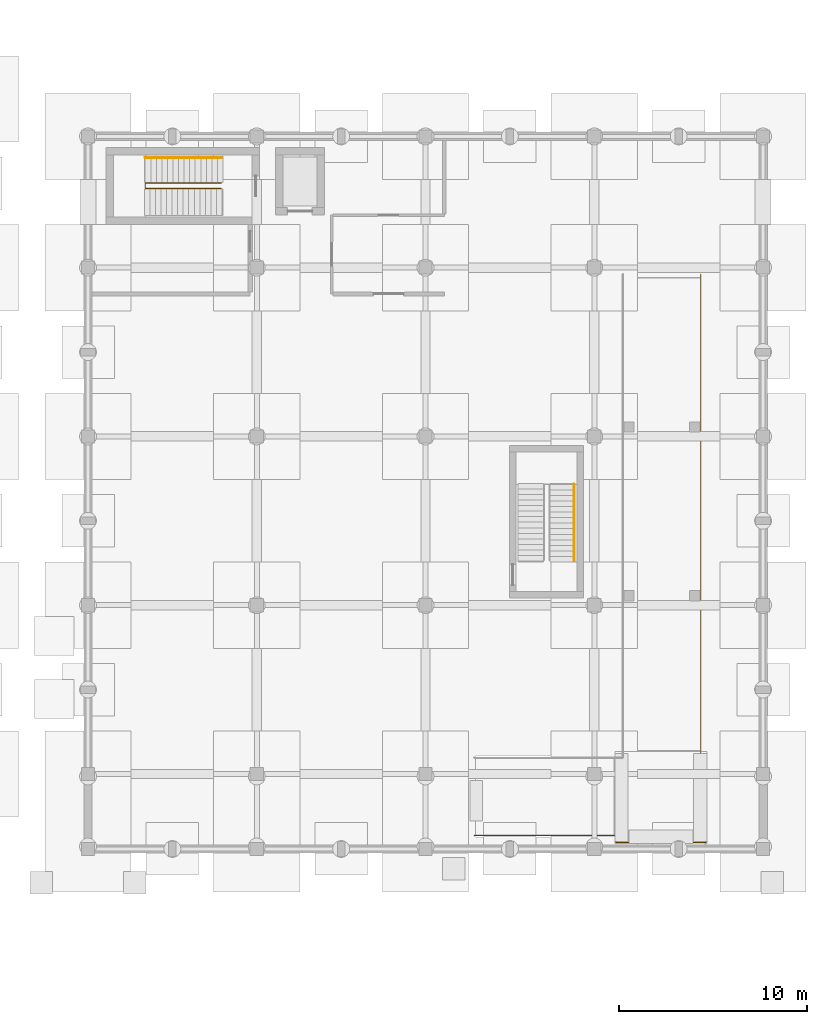
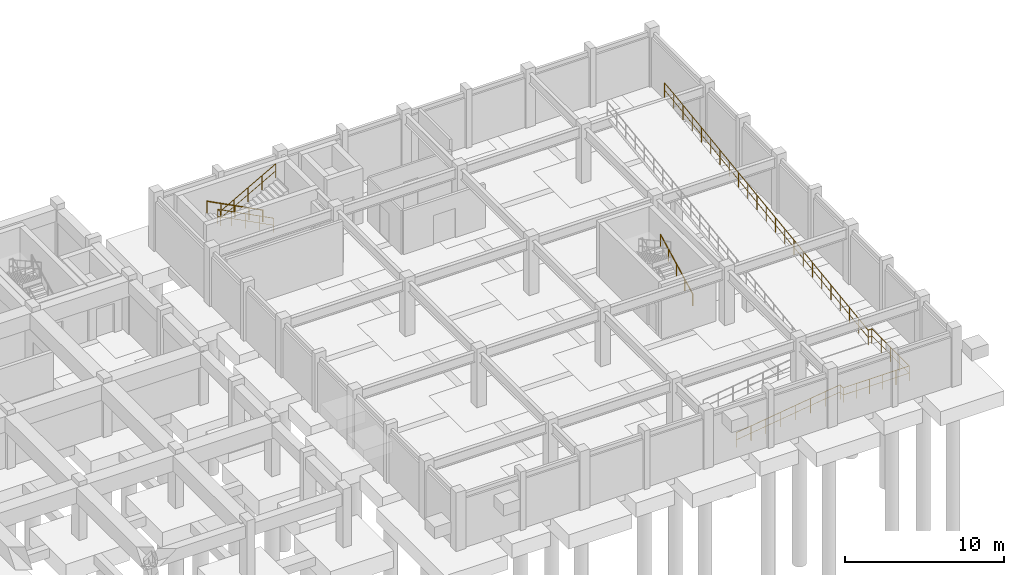
# One storey, part 19 of 20: 4 railings.
"""IFC4 building model written with IfcOpenShell, lengths in metres."""

import ifcopenshell
import ifcopenshell.guid

model = None  # the IFC model being written
_history = None  # IfcOwnerHistory: only IFC2X3 demands one
_inside = {}  # id of a spatial element -> (the spatial element, [elements in it])
_under = {}  # id of a project, library or spatial element -> (it, [spatial elements below it])
_declared = {}  # id of a project -> (the project, [libraries it declares])
_typed = {}  # id of a type object -> (the type object, [elements of that type])
_made_of = {}  # id of a material, layer set ... -> (it, [elements and type objects made of it])


def new_model(schema):
    """Start an empty IFC model of exactly this schema.

    Asked for "IFC4X3", IfcOpenShell would pick the latest addendum, in which some entities
    have other attributes; the version numbers below select the first issue.
    IFC2X3 requires an IfcOwnerHistory on every rooted entity: one is made here for all.
    """
    global model, _history
    if schema == "IFC4X3":
        model = ifcopenshell.file(schema_version=(4, 3, 0, 0))
    else:
        model = ifcopenshell.file(schema=schema)
    _inside.clear()
    _under.clear()
    _declared.clear()
    _typed.clear()
    _made_of.clear()
    _history = None
    if model.schema == "IFC2X3":
        org = make("IfcOrganization", Name="unknown")
        user = make(
            "IfcPersonAndOrganization",
            ThePerson=make("IfcPerson", FamilyName="unknown"),
            TheOrganization=org,
        )
        app = make(
            "IfcApplication",
            ApplicationDeveloper=org,
            Version="unknown",
            ApplicationFullName="unknown",
            ApplicationIdentifier="unknown",
        )
        _history = make(
            "IfcOwnerHistory",
            OwningUser=user,
            OwningApplication=app,
            ChangeAction="ADDED",
            CreationDate=0,
        )
    return model


def make(cls, **values):
    """One entity of the class cls with the attributes given. An attribute that is None is left unset."""
    return model.create_entity(
        cls, **{name: value for name, value in values.items() if value is not None}
    )


def rooted(cls, **values):
    """An entity with a GlobalId (a new one), such as an element, a storey or a relation."""
    return make(cls, GlobalId=ifcopenshell.guid.new(), OwnerHistory=_history, **values)


def si_unit(unit_type, name, prefix=None):
    """IfcSIUnit, for example si_unit("LENGTHUNIT", "METRE", prefix="MILLI")."""
    return make("IfcSIUnit", UnitType=unit_type, Prefix=prefix, Name=name)


def assignment(units):
    """IfcUnitAssignment: the units of a project."""
    return None if units is None else make("IfcUnitAssignment", Units=units)


def point(xyz):
    """IfcCartesianPoint."""
    return None if xyz is None else make("IfcCartesianPoint", Coordinates=xyz)


def direction(xyz):
    """IfcDirection."""
    return None if xyz is None else make("IfcDirection", DirectionRatios=xyz)


def frame(location, z_axis=None, x_axis=None):
    """IfcAxis2Placement3D, a coordinate frame: its origin and axes. An axis left out is left unset."""
    return make(
        "IfcAxis2Placement3D",
        Location=point(location),
        Axis=direction(z_axis),
        RefDirection=direction(x_axis),
    )


def frame_2d(location, x_axis=None):
    """IfcAxis2Placement2D, a coordinate frame in the plane: its origin and x axis."""
    return make(
        "IfcAxis2Placement2D", Location=point(location), RefDirection=direction(x_axis)
    )


def origin():
    """The frame at (0, 0, 0) with its axes left unset."""
    return frame((0.0, 0.0, 0.0))


def origin_2d():
    """The frame at (0, 0) in the plane with its x axis left unset."""
    return frame_2d((0.0, 0.0))


def place(relative_to, where):
    """IfcLocalPlacement: puts the frame where relative to a parent placement (None: the world)."""
    return make(
        "IfcLocalPlacement", PlacementRelTo=relative_to, RelativePlacement=where
    )


def context(
    kind, dimensions, precision=None, world=None, true_north=None, identifier=None
):
    """IfcGeometricRepresentationContext, for example the 3D "Model" context."""
    return make(
        "IfcGeometricRepresentationContext",
        ContextIdentifier=identifier,
        ContextType=kind,
        CoordinateSpaceDimension=dimensions,
        Precision=precision,
        WorldCoordinateSystem=world,
        TrueNorth=true_north,
    )


def subcontext(parent, identifier, kind, view, scale=None):
    """IfcGeometricRepresentationSubContext, for example "Body" below "Model"."""
    return make(
        "IfcGeometricRepresentationSubContext",
        ContextIdentifier=identifier,
        ContextType=kind,
        ParentContext=parent,
        TargetScale=scale,
        TargetView=view,
    )


def project(units=None, contexts=None):
    """IfcProject with its units and contexts."""
    return rooted(
        "IfcProject",
        Name="project",
        RepresentationContexts=contexts,
        UnitsInContext=assignment(units),
    )


def spatial(cls, under=None, at=None, **own):
    """A site, building, storey or space (cls), placed at a placement, below another one or the project."""
    s = rooted(cls, ObjectPlacement=at, **own)
    if under is not None:
        _under.setdefault(under.id(), (under, []))[1].append(s)
    return s


def profile(cls, at=None, kind="AREA", **sizes):
    """A parametric profile (cls). Its sizes go by their IFC names, for example OverallWidth=200.0."""
    return make(cls, ProfileType=kind, Position=at, **sizes)


def circle(**sizes):
    """IfcCircleProfileDef."""
    return profile("IfcCircleProfileDef", **sizes)


def extrude(swept, where, along, depth):
    """IfcExtrudedAreaSolid: the profile swept, set in the frame where, extruded along a direction by depth."""
    return make(
        "IfcExtrudedAreaSolid",
        SweptArea=swept,
        Position=where,
        ExtrudedDirection=direction(along),
        Depth=depth,
    )


def shape(context_of_items, identifier, shape_type, items):
    """IfcShapeRepresentation: the items that make up one representation, for example the "Body"."""
    return make(
        "IfcShapeRepresentation",
        ContextOfItems=context_of_items,
        RepresentationIdentifier=identifier,
        RepresentationType=shape_type,
        Items=items,
    )


def material(Name=None, Category=None):
    """IfcMaterial."""
    return make("IfcMaterial", Name=Name, Category=Category)


def made_of(thing, what):
    """Note that an element or type object is made of a material, layer set ...; save() writes the relation."""
    if what is not None:
        _made_of.setdefault(what.id(), (what, []))[1].append(thing)
    return thing


def type_object(cls, material=None, **own):
    """A type object (cls), such as IfcWallType, which elements share."""
    return made_of(rooted(cls, **own), material)


def element(
    cls,
    number,
    at=None,
    inside=None,
    cuts=None,
    type_object=None,
    material=None,
    context=None,
    identifier="Body",
    shape_type=None,
    held_by="IfcProductDefinitionShape",
    body=None,
    shapes=None,
    **own,
):
    """One element of the class cls, such as IfcWall. Its Tag is "e" and its number.

    at: its placement. inside: the storey or other place that contains it. cuts: it is an
    opening in that element (IfcRelVoidsElement). A single representation is given by context,
    identifier, shape_type and body (its items); several are given by shapes. held_by: the class
    of the entity that holds the representations. save() writes the other relations.
    """
    e = rooted(cls, Tag="e%d" % number, ObjectPlacement=at, **own)
    if body is not None:
        shapes = [shape(context, identifier, shape_type, body)]
    if shapes is not None:
        e.Representation = make(held_by, Representations=shapes)
    if inside is not None:
        _inside.setdefault(inside.id(), (inside, []))[1].append(e)
    if cuts is not None:
        rooted(
            "IfcRelVoidsElement", RelatingBuildingElement=cuts, RelatedOpeningElement=e
        )
    if type_object is not None:
        _typed.setdefault(type_object.id(), (type_object, []))[1].append(e)
    return made_of(e, material)


def aggregate(whole, parts):
    """IfcRelAggregates: a whole, such as a stair, and the parts it consists of."""
    return rooted("IfcRelAggregates", RelatingObject=whole, RelatedObjects=parts)


def save(model, path):
    """Write the relations noted so far, then the file.

    IfcRelAggregates (storeys below a building ...), IfcRelContainedInSpatialStructure (elements
    in a storey), IfcRelDefinesByType, IfcRelAssociatesMaterial and IfcRelDeclares: one each for
    every whole, place, type object, material and project.
    """
    for whole, parts in _under.values():
        aggregate(whole, parts)
    for where, things in _inside.values():
        rooted(
            "IfcRelContainedInSpatialStructure",
            RelatedElements=things,
            RelatingStructure=where,
        )
    for kind, things in _typed.values():
        rooted("IfcRelDefinesByType", RelatedObjects=things, RelatingType=kind)
    for what, things in _made_of.values():
        rooted("IfcRelAssociatesMaterial", RelatedObjects=things, RelatingMaterial=what)
    for by, libraries in _declared.values():
        rooted("IfcRelDeclares", RelatingContext=by, RelatedDefinitions=libraries)
    model.write(path)


model = new_model("IFC4")

# Units and contexts
model_context = context("Model", 3, precision=1e-05, world=origin(), true_north=direction((0.0, 1.0)))
body_context = subcontext(model_context, "Body", "Model", "MODEL_VIEW")
ifc_project = project(units=[si_unit("LENGTHUNIT", "METRE"), si_unit("AREAUNIT", "SQUARE_METRE"), si_unit("VOLUMEUNIT", "CUBIC_METRE"), si_unit("PLANEANGLEUNIT", "RADIAN"), si_unit("MASSUNIT", "GRAM", prefix="KILO")], contexts=[model_context])

# Site, building, storey
site_placement = place(None, origin())
site = spatial("IfcSite", under=ifc_project, at=site_placement, CompositionType="ELEMENT")
building_placement = place(site_placement, origin())
building = spatial("IfcBuilding", under=site, at=building_placement, Name="Ventoquebrada Cableway Terminal", CompositionType="ELEMENT")
storey_placement = place(building_placement, frame((0.0, 0.0, -4.5)))
storey = spatial("IfcBuildingStorey", under=building, at=storey_placement, Name="B1", CompositionType="ELEMENT", Elevation=-4.5)

# Railings
ifc_material = material(Name="Brushed stainless steel Grade 316", Category="steel")
railing_type_1 = type_object("IfcRailingType", Name="RL-GD01", PredefinedType="GUARDRAIL", material=ifc_material)
railing_1_placement = place(storey_placement, frame((136.10009765625, 99.510009765625, 0.14990234375)))
element("IfcRailing", 1, at=railing_1_placement, inside=storey, type_object=railing_type_1, Name="Stair well guardrail GR-S22", PredefinedType="GUARDRAIL", context=body_context, shape_type="SweptSolid", body=[
    extrude(circle(Radius=0.02392578125, at=origin_2d()), frame((-0.001708984375, 0.0, 1.096923828125), z_axis=(-0.887748051797, 0.0, 0.460329660712), x_axis=(0.0, -1.0, 0.0)), (0.0, 0.0, 1.0), 4.55810546875),
    extrude(circle(Radius=0.01611328125, at=origin_2d()), frame((-0.001708984375, 0.0, 0.56103515625), z_axis=(-0.887748051797, 0.0, 0.460329660712), x_axis=(0.0, -1.0, 0.0)), (0.0, 0.0, 1.0), 4.55810546875),
    extrude(circle(Radius=0.02392578125, at=origin_2d()), frame((-4.050048828125, -0.001953125, 3.1962890625), z_axis=(0.0, -1.0, 0.0), x_axis=(1.0, 0.0, 0.0)), (0.0, 0.0, 1.0), 0.276123046875),
    extrude(circle(Radius=0.01611328125, at=origin_2d()), frame((-4.050048828125, -0.001953125, 2.66015625), z_axis=(0.0, -1.0, 0.0), x_axis=(1.0, 0.0, 0.0)), (0.0, 0.0, 1.0), 0.276123046875),
    extrude(circle(Radius=0.02392578125, at=origin_2d()), frame((-4.04833984375, -0.280029296875, 3.197021484375), z_axis=(0.87415976173, 0.0, 0.485638457056), x_axis=(0.0, 1.0, 0.0)), (0.0, 0.0, 1.0), 4.629150390625),
    extrude(circle(Radius=0.01611328125, at=origin_2d()), frame((-4.04833984375, -0.280029296875, 2.6611328125), z_axis=(0.87415976173, 0.0, 0.485638457056), x_axis=(0.0, 1.0, 0.0)), (0.0, 0.0, 1.0), 4.629150390625),
    extrude(circle(Radius=0.02099609375, at=origin_2d()), origin(), (0.0, 0.0, 1.0), 1.072021484375),
    extrude(circle(Radius=0.02099609375, at=origin_2d()), frame((-1.012451171875, 0.0, 0.52490234375)), (0.0, 0.0, 1.0), 1.072021484375),
    extrude(circle(Radius=0.02099609375, at=origin_2d()), frame((-2.02490234375, 0.0, 1.050048828125)), (0.0, 0.0, 1.0), 1.072021484375),
    extrude(circle(Radius=0.02099609375, at=origin_2d()), frame((-3.03759765625, 0.0, 1.5751953125)), (0.0, 0.0, 1.0), 1.072021484375),
    extrude(circle(Radius=0.02099609375, at=origin_2d()), frame((-4.050048828125, 0.0, 2.10009765625)), (0.0, 0.0, 1.0), 1.072021484375),
    extrude(circle(Radius=0.02099609375, at=origin_2d()), frame((-4.050048828125, -0.280029296875, 2.10009765625)), (0.0, 0.0, 1.0), 1.072021484375),
    extrude(circle(Radius=0.02099609375, at=origin_2d()), frame((-3.03759765625, -0.280029296875, 2.66259765625)), (0.0, 0.0, 1.0), 1.072021484375),
    extrude(circle(Radius=0.02099609375, at=origin_2d()), frame((-2.02490234375, -0.280029296875, 3.22509765625)), (0.0, 0.0, 1.0), 1.072021484375),
    extrude(circle(Radius=0.02099609375, at=origin_2d()), frame((-1.012451171875, -0.280029296875, 3.78759765625)), (0.0, 0.0, 1.0), 1.072021484375),
    extrude(circle(Radius=0.02099609375, at=origin_2d()), frame((0.0, -0.280029296875, 4.35009765625)), (0.0, 0.0, 1.0), 1.072021484375),
])
railing_type_2 = type_object("IfcRailingType", Name="RL-GD02", PredefinedType="BALUSTRADE", material=ifc_material)
railing_2_placement = place(storey_placement, frame((149.60009765625, 64.72509765625, 0.02001953125)))
element("IfcRailing", 2, at=railing_2_placement, inside=storey, type_object=railing_type_2, Name="Vehicle ramp outer guardrail GR-R36", PredefinedType="BALUSTRADE", context=body_context, shape_type="SweptSolid", body=[
    extrude(circle(Radius=0.02392578125, at=origin_2d()), frame((0.001953125, 0.0, 1.126220703125), z_axis=(0.991321692716, 0.0, 0.13145836432), x_axis=(0.0, 1.0, 0.0)), (0.0, 0.0, 1.0), 1.084228515625),
    extrude(circle(Radius=0.01611328125, at=origin_2d()), frame((0.001953125, 0.0, 0.5751953125), z_axis=(0.991321692716, 0.0, 0.13145836432), x_axis=(0.0, 1.0, 0.0)), (0.0, 0.0, 1.0), 1.084228515625),
    extrude(circle(Radius=0.02392578125, at=origin_2d()), frame((1.080810546875, 0.0, 1.269287109375), z_axis=(0.990471887601, 0.0, 0.137715067705), x_axis=(0.0, 1.0, 0.0)), (0.0, 0.0, 1.0), 1.08447265625),
    extrude(circle(Radius=0.01611328125, at=origin_2d()), frame((1.080810546875, 0.0, 0.71826171875), z_axis=(0.990471887601, 0.0, 0.137715067705), x_axis=(0.0, 1.0, 0.0)), (0.0, 0.0, 1.0), 1.08447265625),
    extrude(circle(Radius=0.02392578125, at=origin_2d()), frame((2.158935546875, 0.0, 1.419189453125), z_axis=(0.990484636223, 0.0, 0.137623346151), x_axis=(0.0, 1.0, 0.0)), (0.0, 0.0, 1.0), 1.085205078125),
    extrude(circle(Radius=0.01611328125, at=origin_2d()), frame((2.158935546875, 0.0, 0.8681640625), z_axis=(0.990484636223, 0.0, 0.137623346151), x_axis=(0.0, 1.0, 0.0)), (0.0, 0.0, 1.0), 1.085205078125),
    extrude(circle(Radius=0.02392578125, at=origin_2d()), frame((3.23779296875, 0.0, 1.569091796875), z_axis=(0.99031833032, 0.0, 0.138815001465), x_axis=(0.0, 1.0, 0.0)), (0.0, 0.0, 1.0), 1.084716796875),
    extrude(circle(Radius=0.01611328125, at=origin_2d()), frame((3.23779296875, 0.0, 1.01806640625), z_axis=(0.99031833032, 0.0, 0.138815001465), x_axis=(0.0, 1.0, 0.0)), (0.0, 0.0, 1.0), 1.084716796875),
    extrude(circle(Radius=0.02392578125, at=origin_2d()), frame((4.31591796875, 0.0, 1.72021484375), z_axis=(0.990484636223, 0.0, 0.137623346151), x_axis=(0.0, 1.0, 0.0)), (0.0, 0.0, 1.0), 1.085205078125),
    extrude(circle(Radius=0.01611328125, at=origin_2d()), frame((4.31591796875, 0.0, 1.169189453125), z_axis=(0.990484636223, 0.0, 0.137623346151), x_axis=(0.0, 1.0, 0.0)), (0.0, 0.0, 1.0), 1.085205078125),
    extrude(circle(Radius=0.02392578125, at=origin_2d()), frame((5.394775390625, 0.0, 1.8701171875), z_axis=(0.990441270076, 0.0, 0.137935095357), x_axis=(0.0, 1.0, 0.0)), (0.0, 0.0, 1.0), 1.08447265625),
    extrude(circle(Radius=0.01611328125, at=origin_2d()), frame((5.394775390625, 0.0, 1.319091796875), z_axis=(0.990441270076, 0.0, 0.137935095357), x_axis=(0.0, 1.0, 0.0)), (0.0, 0.0, 1.0), 1.08447265625),
    extrude(circle(Radius=0.02392578125, at=origin_2d()), frame((6.472900390625, 0.0, 2.020263671875), z_axis=(0.992149546835, 0.0, 0.125057093819), x_axis=(0.0, 1.0, 0.0)), (0.0, 0.0, 1.0), 1.08349609375),
    extrude(circle(Radius=0.01611328125, at=origin_2d()), frame((6.472900390625, 0.0, 1.46923828125), z_axis=(0.992149546835, 0.0, 0.125057093819), x_axis=(0.0, 1.0, 0.0)), (0.0, 0.0, 1.0), 1.08349609375),
    extrude(circle(Radius=0.02392578125, at=origin_2d()), frame((7.5498046875, -0.001953125, 2.15576171875), z_axis=(0.0, -1.0, 0.0), x_axis=(1.0, 0.0, 0.0)), (0.0, 0.0, 1.0), 0.37109375),
    extrude(circle(Radius=0.01611328125, at=origin_2d()), frame((7.5498046875, -0.001953125, 1.60498046875), z_axis=(0.0, -1.0, 0.0), x_axis=(1.0, 0.0, 0.0)), (0.0, 0.0, 1.0), 0.37109375),
    extrude(circle(Radius=0.02392578125, at=origin_2d()), frame((7.5517578125, -0.375, 2.15576171875), z_axis=(1.0, 0.0, 0.0), x_axis=(0.0, 1.0, 0.0)), (0.0, 0.0, 1.0), 4.796142578125),
    extrude(circle(Radius=0.01611328125, at=origin_2d()), frame((7.5517578125, -0.375, 1.60498046875), z_axis=(1.0, 0.0, 0.0), x_axis=(0.0, 1.0, 0.0)), (0.0, 0.0, 1.0), 4.796142578125),
    extrude(circle(Radius=0.02392578125, at=origin_2d()), frame((12.349853515625, -0.373046875, 2.15576171875), z_axis=(0.0, 1.0, 0.0), x_axis=(-1.0, 0.0, 0.0)), (0.0, 0.0, 1.0), 4.696044921875),
    extrude(circle(Radius=0.01611328125, at=origin_2d()), frame((12.349853515625, -0.373046875, 1.60498046875), z_axis=(0.0, 1.0, 0.0), x_axis=(-1.0, 0.0, 0.0)), (0.0, 0.0, 1.0), 4.696044921875),
    extrude(circle(Radius=0.02392578125, at=origin_2d()), frame((12.347900390625, 4.324951171875, 2.15576171875), z_axis=(-1.0, 0.0, 0.0), x_axis=(0.0, -1.0, 0.0)), (0.0, 0.0, 1.0), 0.27099609375),
    extrude(circle(Radius=0.01611328125, at=origin_2d()), frame((12.347900390625, 4.324951171875, 1.60498046875), z_axis=(-1.0, 0.0, 0.0), x_axis=(0.0, -1.0, 0.0)), (0.0, 0.0, 1.0), 0.27099609375),
    extrude(circle(Radius=0.02392578125, at=origin_2d()), frame((12.074951171875, 4.326904296875, 2.15625), z_axis=(0.0, 0.991028923854, 0.133647566703), x_axis=(-1.0, 0.0, 0.0)), (0.0, 0.0, 1.0), 1.170654296875),
    extrude(circle(Radius=0.01611328125, at=origin_2d()), frame((12.074951171875, 4.326904296875, 1.605224609375), z_axis=(0.0, 0.991028923854, 0.133647566703), x_axis=(-1.0, 0.0, 0.0)), (0.0, 0.0, 1.0), 1.170654296875),
    extrude(circle(Radius=0.02392578125, at=origin_2d()), frame((12.074951171875, 5.490966796875, 2.313232421875), z_axis=(0.0, 0.991010332392, 0.133785354551), x_axis=(-1.0, 0.0, 0.0)), (0.0, 0.0, 1.0), 1.16943359375),
    extrude(circle(Radius=0.01611328125, at=origin_2d()), frame((12.074951171875, 5.490966796875, 1.76220703125), z_axis=(0.0, 0.991010332392, 0.133785354551), x_axis=(-1.0, 0.0, 0.0)), (0.0, 0.0, 1.0), 1.16943359375),
    extrude(circle(Radius=0.02392578125, at=origin_2d()), frame((12.074951171875, 6.65380859375, 2.47021484375), z_axis=(0.0, 0.991138717367, 0.132830880956), x_axis=(-1.0, 0.0, 0.0)), (0.0, 0.0, 1.0), 1.17041015625),
    extrude(circle(Radius=0.01611328125, at=origin_2d()), frame((12.074951171875, 6.65380859375, 1.919189453125), z_axis=(0.0, 0.991138717367, 0.132830880956), x_axis=(-1.0, 0.0, 0.0)), (0.0, 0.0, 1.0), 1.17041015625),
    extrude(circle(Radius=0.02392578125, at=origin_2d()), frame((12.074951171875, 7.81787109375, 2.626220703125), z_axis=(0.0, 0.991028923854, 0.133647566703), x_axis=(-1.0, 0.0, 0.0)), (0.0, 0.0, 1.0), 1.170654296875),
    extrude(circle(Radius=0.01611328125, at=origin_2d()), frame((12.074951171875, 7.81787109375, 2.0751953125), z_axis=(0.0, 0.991028923854, 0.133647566703), x_axis=(-1.0, 0.0, 0.0)), (0.0, 0.0, 1.0), 1.170654296875),
    extrude(circle(Radius=0.02392578125, at=origin_2d()), frame((12.074951171875, 8.98193359375, 2.783203125), z_axis=(0.0, 0.991010332392, 0.133785354551), x_axis=(-1.0, 0.0, 0.0)), (0.0, 0.0, 1.0), 1.16943359375),
    extrude(circle(Radius=0.01611328125, at=origin_2d()), frame((12.074951171875, 8.98193359375, 2.232177734375), z_axis=(0.0, 0.991010332392, 0.133785354551), x_axis=(-1.0, 0.0, 0.0)), (0.0, 0.0, 1.0), 1.16943359375),
    extrude(circle(Radius=0.02392578125, at=origin_2d()), frame((12.074951171875, 10.144775390625, 2.940185546875), z_axis=(0.0, 0.991028923854, 0.133647566703), x_axis=(-1.0, 0.0, 0.0)), (0.0, 0.0, 1.0), 1.170654296875),
    extrude(circle(Radius=0.01611328125, at=origin_2d()), frame((12.074951171875, 10.144775390625, 2.38916015625), z_axis=(0.0, 0.991028923854, 0.133647566703), x_axis=(-1.0, 0.0, 0.0)), (0.0, 0.0, 1.0), 1.170654296875),
    extrude(circle(Radius=0.02392578125, at=origin_2d()), frame((12.074951171875, 11.308837890625, 3.09716796875), z_axis=(0.0, 0.991014055284, 0.133757774464), x_axis=(-1.0, 0.0, 0.0)), (0.0, 0.0, 1.0), 1.169677734375),
    extrude(circle(Radius=0.01611328125, at=origin_2d()), frame((12.074951171875, 11.308837890625, 2.546142578125), z_axis=(0.0, 0.991014055284, 0.133757774464), x_axis=(-1.0, 0.0, 0.0)), (0.0, 0.0, 1.0), 1.169677734375),
    extrude(circle(Radius=0.02392578125, at=origin_2d()), frame((12.074951171875, 12.471923828125, 3.254150390625), z_axis=(0.0, 0.991025210157, 0.133675101769), x_axis=(-1.0, 0.0, 0.0)), (0.0, 0.0, 1.0), 1.17041015625),
    extrude(circle(Radius=0.01611328125, at=origin_2d()), frame((12.074951171875, 12.471923828125, 2.703125), z_axis=(0.0, 0.991025210157, 0.133675101769), x_axis=(-1.0, 0.0, 0.0)), (0.0, 0.0, 1.0), 1.17041015625),
    extrude(circle(Radius=0.02392578125, at=origin_2d()), frame((12.074951171875, 13.6357421875, 3.4111328125), z_axis=(0.0, 0.991138717367, 0.132830880956), x_axis=(-1.0, 0.0, 0.0)), (0.0, 0.0, 1.0), 1.17041015625),
    extrude(circle(Radius=0.01611328125, at=origin_2d()), frame((12.074951171875, 13.6357421875, 2.860107421875), z_axis=(0.0, 0.991138717367, 0.132830880956), x_axis=(-1.0, 0.0, 0.0)), (0.0, 0.0, 1.0), 1.17041015625),
    extrude(circle(Radius=0.02392578125, at=origin_2d()), frame((12.074951171875, 14.7998046875, 3.567138671875), z_axis=(0.0, 0.991014055284, 0.133757774464), x_axis=(-1.0, 0.0, 0.0)), (0.0, 0.0, 1.0), 1.169677734375),
    extrude(circle(Radius=0.01611328125, at=origin_2d()), frame((12.074951171875, 14.7998046875, 3.01611328125), z_axis=(0.0, 0.991014055284, 0.133757774464), x_axis=(-1.0, 0.0, 0.0)), (0.0, 0.0, 1.0), 1.169677734375),
    extrude(circle(Radius=0.02392578125, at=origin_2d()), frame((12.074951171875, 15.962890625, 3.72412109375), z_axis=(0.0, 0.991028923854, 0.133647566703), x_axis=(-1.0, 0.0, 0.0)), (0.0, 0.0, 1.0), 1.170654296875),
    extrude(circle(Radius=0.01611328125, at=origin_2d()), frame((12.074951171875, 15.962890625, 3.173095703125), z_axis=(0.0, 0.991028923854, 0.133647566703), x_axis=(-1.0, 0.0, 0.0)), (0.0, 0.0, 1.0), 1.170654296875),
    extrude(circle(Radius=0.02392578125, at=origin_2d()), frame((12.074951171875, 17.126953125, 3.881103515625), z_axis=(0.0, 0.99077570355, 0.135512011478), x_axis=(-1.0, 0.0, 0.0)), (0.0, 0.0, 1.0), 1.170654296875),
    extrude(circle(Radius=0.01611328125, at=origin_2d()), frame((12.074951171875, 17.126953125, 3.330078125), z_axis=(0.0, 0.99077570355, 0.135512011478), x_axis=(-1.0, 0.0, 0.0)), (0.0, 0.0, 1.0), 1.170654296875),
    extrude(circle(Radius=0.02392578125, at=origin_2d()), frame((12.074951171875, 18.290771484375, 4.040283203125), z_axis=(0.0, 0.99068024293, 0.136208135835), x_axis=(-1.0, 0.0, 0.0)), (0.0, 0.0, 1.0), 1.169921875),
    extrude(circle(Radius=0.01611328125, at=origin_2d()), frame((12.074951171875, 18.290771484375, 3.4892578125), z_axis=(0.0, 0.99068024293, 0.136208135835), x_axis=(-1.0, 0.0, 0.0)), (0.0, 0.0, 1.0), 1.169921875),
    extrude(circle(Radius=0.02392578125, at=origin_2d()), frame((12.074951171875, 19.453857421875, 4.2001953125), z_axis=(0.0, 0.99080739254, 0.13528012008), x_axis=(-1.0, 0.0, 0.0)), (0.0, 0.0, 1.0), 1.1708984375),
    extrude(circle(Radius=0.01611328125, at=origin_2d()), frame((12.074951171875, 19.453857421875, 3.649169921875), z_axis=(0.0, 0.99080739254, 0.13528012008), x_axis=(-1.0, 0.0, 0.0)), (0.0, 0.0, 1.0), 1.1708984375),
    extrude(circle(Radius=0.02392578125, at=origin_2d()), frame((12.074951171875, 20.617919921875, 4.359130859375), z_axis=(0.0, 0.99077570355, 0.135512011478), x_axis=(-1.0, 0.0, 0.0)), (0.0, 0.0, 1.0), 1.170654296875),
    extrude(circle(Radius=0.01611328125, at=origin_2d()), frame((12.074951171875, 20.617919921875, 3.80810546875), z_axis=(0.0, 0.99077570355, 0.135512011478), x_axis=(-1.0, 0.0, 0.0)), (0.0, 0.0, 1.0), 1.170654296875),
    extrude(circle(Radius=0.02392578125, at=origin_2d()), frame((12.074951171875, 21.78173828125, 4.518310546875), z_axis=(0.0, 0.99068024293, 0.136208135835), x_axis=(-1.0, 0.0, 0.0)), (0.0, 0.0, 1.0), 1.169921875),
    extrude(circle(Radius=0.01611328125, at=origin_2d()), frame((12.074951171875, 21.78173828125, 3.96728515625), z_axis=(0.0, 0.99068024293, 0.136208135835), x_axis=(-1.0, 0.0, 0.0)), (0.0, 0.0, 1.0), 1.169921875),
    extrude(circle(Radius=0.02392578125, at=origin_2d()), frame((12.074951171875, 22.94482421875, 4.67822265625), z_axis=(0.0, 0.99080739254, 0.13528012008), x_axis=(-1.0, 0.0, 0.0)), (0.0, 0.0, 1.0), 1.1708984375),
    extrude(circle(Radius=0.01611328125, at=origin_2d()), frame((12.074951171875, 22.94482421875, 4.127197265625), z_axis=(0.0, 0.99080739254, 0.13528012008), x_axis=(-1.0, 0.0, 0.0)), (0.0, 0.0, 1.0), 1.1708984375),
    extrude(circle(Radius=0.02392578125, at=origin_2d()), frame((12.074951171875, 24.10888671875, 4.837158203125), z_axis=(0.0, 0.990792161915, 0.135391624141), x_axis=(-1.0, 0.0, 0.0)), (0.0, 0.0, 1.0), 1.169921875),
    extrude(circle(Radius=0.01611328125, at=origin_2d()), frame((12.074951171875, 24.10888671875, 4.2861328125), z_axis=(0.0, 0.990792161915, 0.135391624141), x_axis=(-1.0, 0.0, 0.0)), (0.0, 0.0, 1.0), 1.169921875),
    extrude(circle(Radius=0.02392578125, at=origin_2d()), frame((12.074951171875, 25.27197265625, 4.99609375), z_axis=(0.0, 0.99077570355, 0.135512011478), x_axis=(-1.0, 0.0, 0.0)), (0.0, 0.0, 1.0), 1.170654296875),
    extrude(circle(Radius=0.01611328125, at=origin_2d()), frame((12.074951171875, 25.27197265625, 4.445068359375), z_axis=(0.0, 0.99077570355, 0.135512011478), x_axis=(-1.0, 0.0, 0.0)), (0.0, 0.0, 1.0), 1.170654296875),
    extrude(circle(Radius=0.02392578125, at=origin_2d()), frame((12.074951171875, 26.435791015625, 5.1552734375), z_axis=(0.0, 0.990695656075, 0.136095984633), x_axis=(-1.0, 0.0, 0.0)), (0.0, 0.0, 1.0), 1.1708984375),
    extrude(circle(Radius=0.01611328125, at=origin_2d()), frame((12.074951171875, 26.435791015625, 4.604248046875), z_axis=(0.0, 0.990695656075, 0.136095984633), x_axis=(-1.0, 0.0, 0.0)), (0.0, 0.0, 1.0), 1.1708984375),
    extrude(circle(Radius=0.02392578125, at=origin_2d()), frame((12.074951171875, 27.599853515625, 5.315185546875), z_axis=(0.0, 0.990792161915, 0.135391624141), x_axis=(-1.0, 0.0, 0.0)), (0.0, 0.0, 1.0), 1.169921875),
    extrude(circle(Radius=0.01611328125, at=origin_2d()), frame((12.074951171875, 27.599853515625, 4.76416015625), z_axis=(0.0, 0.990792161915, 0.135391624141), x_axis=(-1.0, 0.0, 0.0)), (0.0, 0.0, 1.0), 1.169921875),
    extrude(circle(Radius=0.02392578125, at=origin_2d()), frame((12.074951171875, 28.762939453125, 5.473876953125), z_axis=(0.0, 0.993621719387, 0.112764705305), x_axis=(-1.0, 0.0, 0.0)), (0.0, 0.0, 1.0), 1.167236328125),
    extrude(circle(Radius=0.01611328125, at=origin_2d()), frame((12.074951171875, 28.762939453125, 4.923095703125), z_axis=(0.0, 0.993621719387, 0.112764705305), x_axis=(-1.0, 0.0, 0.0)), (0.0, 0.0, 1.0), 1.167236328125),
    extrude(circle(Radius=0.02099609375, at=origin_2d()), origin(), (0.0, 0.0, 1.0), 1.101806640625),
    extrude(circle(Radius=0.02099609375, at=origin_2d()), frame((1.078857421875, 0.0, 0.14306640625)), (0.0, 0.0, 1.0), 1.101806640625),
    extrude(circle(Radius=0.02099609375, at=origin_2d()), frame((2.156982421875, 0.0, 0.29296875)), (0.0, 0.0, 1.0), 1.101806640625),
    extrude(circle(Radius=0.02099609375, at=origin_2d()), frame((3.23583984375, 0.0, 0.44287109375)), (0.0, 0.0, 1.0), 1.101806640625),
    extrude(circle(Radius=0.02099609375, at=origin_2d()), frame((4.31396484375, 0.0, 0.593994140625)), (0.0, 0.0, 1.0), 1.101806640625),
    extrude(circle(Radius=0.02099609375, at=origin_2d()), frame((5.392822265625, 0.0, 0.743896484375)), (0.0, 0.0, 1.0), 1.101806640625),
    extrude(circle(Radius=0.02099609375, at=origin_2d()), frame((6.470947265625, 0.0, 0.89404296875)), (0.0, 0.0, 1.0), 1.101806640625),
    extrude(circle(Radius=0.02099609375, at=origin_2d()), frame((7.5498046875, 0.0, 1.030029296875)), (0.0, 0.0, 1.0), 1.101806640625),
    extrude(circle(Radius=0.02099609375, at=origin_2d()), frame((7.5498046875, -0.375, 1.030029296875)), (0.0, 0.0, 1.0), 1.101806640625),
    extrude(circle(Radius=0.02099609375, at=origin_2d()), frame((8.509765625, -0.375, 1.030029296875)), (0.0, 0.0, 1.0), 1.101806640625),
    extrude(circle(Radius=0.02099609375, at=origin_2d()), frame((9.4697265625, -0.375, 1.030029296875)), (0.0, 0.0, 1.0), 1.101806640625),
    extrude(circle(Radius=0.02099609375, at=origin_2d()), frame((10.429931640625, -0.375, 1.030029296875)), (0.0, 0.0, 1.0), 1.101806640625),
    extrude(circle(Radius=0.02099609375, at=origin_2d()), frame((11.389892578125, -0.375, 1.030029296875)), (0.0, 0.0, 1.0), 1.101806640625),
    extrude(circle(Radius=0.02099609375, at=origin_2d()), frame((12.349853515625, -0.375, 1.030029296875)), (0.0, 0.0, 1.0), 1.101806640625),
    extrude(circle(Radius=0.02099609375, at=origin_2d()), frame((12.349853515625, 0.800048828125, 1.030029296875)), (0.0, 0.0, 1.0), 1.101806640625),
    extrude(circle(Radius=0.02099609375, at=origin_2d()), frame((12.349853515625, 1.97509765625, 1.030029296875)), (0.0, 0.0, 1.0), 1.101806640625),
    extrude(circle(Radius=0.02099609375, at=origin_2d()), frame((12.349853515625, 3.14990234375, 1.030029296875)), (0.0, 0.0, 1.0), 1.101806640625),
    extrude(circle(Radius=0.02099609375, at=origin_2d()), frame((12.349853515625, 4.324951171875, 1.030029296875)), (0.0, 0.0, 1.0), 1.101806640625),
    extrude(circle(Radius=0.02099609375, at=origin_2d()), frame((12.074951171875, 4.324951171875, 1.030029296875)), (0.0, 0.0, 1.0), 1.101806640625),
    extrude(circle(Radius=0.02099609375, at=origin_2d()), frame((12.074951171875, 5.489013671875, 1.18701171875)), (0.0, 0.0, 1.0), 1.101806640625),
    extrude(circle(Radius=0.02099609375, at=origin_2d()), frame((12.074951171875, 6.65185546875, 1.343994140625)), (0.0, 0.0, 1.0), 1.101806640625),
    extrude(circle(Radius=0.02099609375, at=origin_2d()), frame((12.074951171875, 7.81591796875, 1.5)), (0.0, 0.0, 1.0), 1.101806640625),
    extrude(circle(Radius=0.02099609375, at=origin_2d()), frame((12.074951171875, 8.97998046875, 1.656982421875)), (0.0, 0.0, 1.0), 1.101806640625),
    extrude(circle(Radius=0.02099609375, at=origin_2d()), frame((12.074951171875, 10.142822265625, 1.81396484375)), (0.0, 0.0, 1.0), 1.101806640625),
    extrude(circle(Radius=0.02099609375, at=origin_2d()), frame((12.074951171875, 11.306884765625, 1.970947265625)), (0.0, 0.0, 1.0), 1.101806640625),
    extrude(circle(Radius=0.02099609375, at=origin_2d()), frame((12.074951171875, 12.469970703125, 2.1279296875)), (0.0, 0.0, 1.0), 1.101806640625),
    extrude(circle(Radius=0.02099609375, at=origin_2d()), frame((12.074951171875, 13.6337890625, 2.284912109375)), (0.0, 0.0, 1.0), 1.101806640625),
    extrude(circle(Radius=0.02099609375, at=origin_2d()), frame((12.074951171875, 14.7978515625, 2.44091796875)), (0.0, 0.0, 1.0), 1.101806640625),
    extrude(circle(Radius=0.02099609375, at=origin_2d()), frame((12.074951171875, 15.9609375, 2.597900390625)), (0.0, 0.0, 1.0), 1.101806640625),
    extrude(circle(Radius=0.02099609375, at=origin_2d()), frame((12.074951171875, 17.125, 2.7548828125)), (0.0, 0.0, 1.0), 1.101806640625),
    extrude(circle(Radius=0.02099609375, at=origin_2d()), frame((12.074951171875, 18.288818359375, 2.9140625)), (0.0, 0.0, 1.0), 1.101806640625),
    extrude(circle(Radius=0.02099609375, at=origin_2d()), frame((12.074951171875, 19.451904296875, 3.073974609375)), (0.0, 0.0, 1.0), 1.101806640625),
    extrude(circle(Radius=0.02099609375, at=origin_2d()), frame((12.074951171875, 20.615966796875, 3.23291015625)), (0.0, 0.0, 1.0), 1.101806640625),
    extrude(circle(Radius=0.02099609375, at=origin_2d()), frame((12.074951171875, 21.77978515625, 3.39208984375)), (0.0, 0.0, 1.0), 1.101806640625),
    extrude(circle(Radius=0.02099609375, at=origin_2d()), frame((12.074951171875, 22.94287109375, 3.552001953125)), (0.0, 0.0, 1.0), 1.101806640625),
    extrude(circle(Radius=0.02099609375, at=origin_2d()), frame((12.074951171875, 24.10693359375, 3.7109375)), (0.0, 0.0, 1.0), 1.101806640625),
    extrude(circle(Radius=0.02099609375, at=origin_2d()), frame((12.074951171875, 25.27001953125, 3.869873046875)), (0.0, 0.0, 1.0), 1.101806640625),
    extrude(circle(Radius=0.02099609375, at=origin_2d()), frame((12.074951171875, 26.433837890625, 4.029052734375)), (0.0, 0.0, 1.0), 1.101806640625),
    extrude(circle(Radius=0.02099609375, at=origin_2d()), frame((12.074951171875, 27.597900390625, 4.18896484375)), (0.0, 0.0, 1.0), 1.101806640625),
    extrude(circle(Radius=0.02099609375, at=origin_2d()), frame((12.074951171875, 28.760986328125, 4.347900390625)), (0.0, 0.0, 1.0), 1.101806640625),
    extrude(circle(Radius=0.02099609375, at=origin_2d()), frame((12.074951171875, 29.9248046875, 4.47998046875)), (0.0, 0.0, 1.0), 1.101806640625),
])
railing_type_3 = type_object("IfcRailingType", Name="RL-HR01", PredefinedType="HANDRAIL", material=ifc_material)
railing_3_placement = place(storey_placement, frame((136.10009765625, 100.8701171875, 0.14990234375)))
element("IfcRailing", 3, at=railing_3_placement, inside=storey, type_object=railing_type_3, Name="Stair wall handrail HR-S22", PredefinedType="HANDRAIL", context=body_context, shape_type="SweptSolid", body=[
    extrude(circle(Radius=0.02392578125, at=origin_2d()), frame((-0.001708984375, 0.0, 0.896728515625), z_axis=(-0.887748051797, 0.0, 0.460329660712), x_axis=(0.0, -1.0, 0.0)), (0.0, 0.0, 1.0), 4.55810546875),
    extrude(circle(Radius=0.02099609375, at=origin_2d()), origin(), (0.0, 0.0, 1.0), 0.871826171875),
    extrude(circle(Radius=0.02099609375, at=origin_2d()), frame((-1.012451171875, 0.0, 0.52490234375)), (0.0, 0.0, 1.0), 0.871826171875),
    extrude(circle(Radius=0.02099609375, at=origin_2d()), frame((-2.02490234375, 0.0, 1.050048828125)), (0.0, 0.0, 1.0), 0.871826171875),
    extrude(circle(Radius=0.02099609375, at=origin_2d()), frame((-3.03759765625, 0.0, 1.5751953125)), (0.0, 0.0, 1.0), 0.871826171875),
    extrude(circle(Radius=0.02099609375, at=origin_2d()), frame((-4.050048828125, 0.0, 2.10009765625)), (0.0, 0.0, 1.0), 0.871826171875),
])
railing_4_placement = place(storey_placement, frame((154.919921875, 79.39990234375, 0.14990234375)))
element("IfcRailing", 4, at=railing_4_placement, inside=storey, type_object=railing_type_3, Name="Stair wall handrail HR-S23", PredefinedType="HANDRAIL", context=body_context, shape_type="SweptSolid", body=[
    extrude(circle(Radius=0.02392578125, at=origin_2d()), frame((0.0, 0.001708984375, 0.896728515625), z_axis=(0.0, 0.887748051797, 0.460329660712), x_axis=(-1.0, 0.0, 0.0)), (0.0, 0.0, 1.0), 4.55810546875),
    extrude(circle(Radius=0.02099609375, at=origin_2d()), origin(), (0.0, 0.0, 1.0), 0.871826171875),
    extrude(circle(Radius=0.02099609375, at=origin_2d()), frame((0.0, 1.012451171875, 0.52490234375)), (0.0, 0.0, 1.0), 0.871826171875),
    extrude(circle(Radius=0.02099609375, at=origin_2d()), frame((0.0, 2.02490234375, 1.050048828125)), (0.0, 0.0, 1.0), 0.871826171875),
    extrude(circle(Radius=0.02099609375, at=origin_2d()), frame((0.0, 3.03759765625, 1.5751953125)), (0.0, 0.0, 1.0), 0.871826171875),
    extrude(circle(Radius=0.02099609375, at=origin_2d()), frame((0.0, 4.050048828125, 2.10009765625)), (0.0, 0.0, 1.0), 0.871826171875),
])

save(model, "model.ifc")
